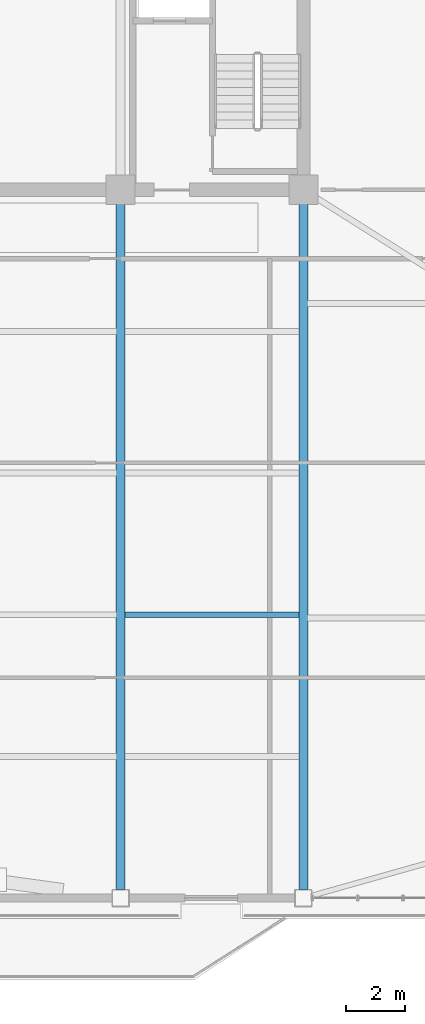
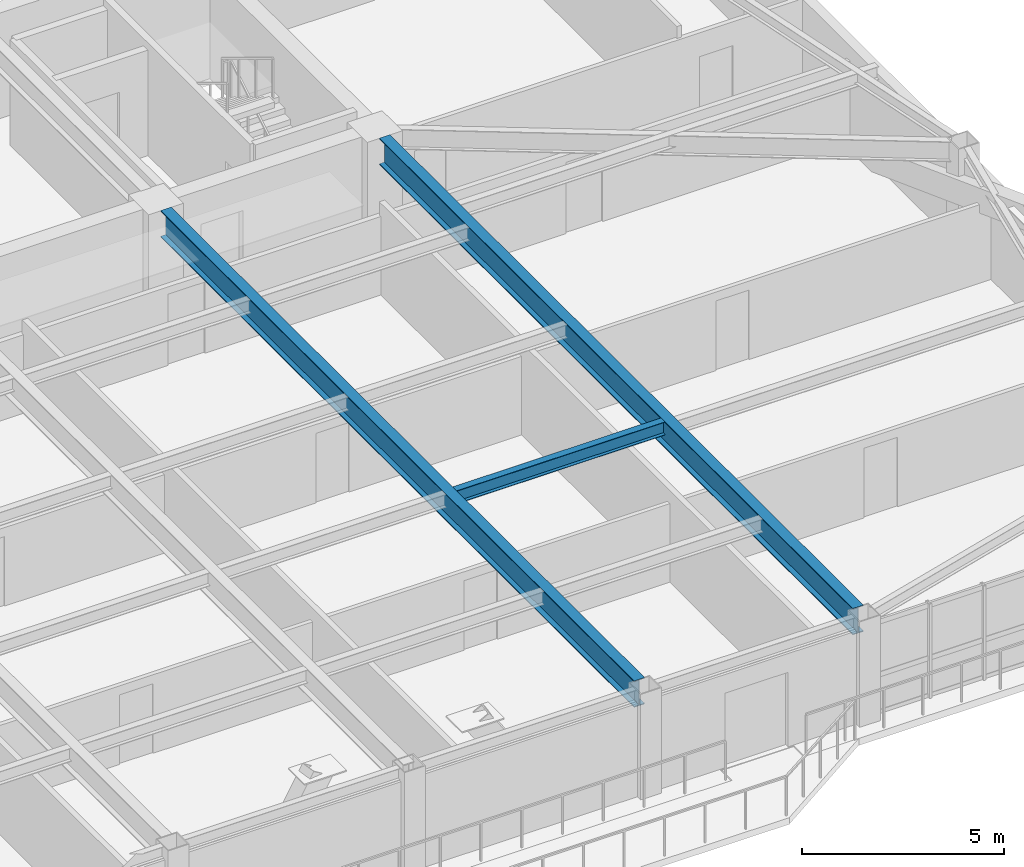
# One storey, part 5 of 16: 3 beams.
"""IFC4 building model written with IfcOpenShell, lengths in metres."""

from ifc_helpers import new_model, si_unit, direction, frame, origin, origin_2d, place, context, subcontext, project, spatial, i_section, extrude, source, transform, mapped, material, material_profile, profile_set, type_object, element, save


model = new_model("IFC4")

# Units and contexts
model_context = context("Model", 3, precision=1e-05, world=origin(), true_north=direction((0.0, 1.0)))
body_context = subcontext(model_context, "Body", "Model", "MODEL_VIEW")
ifc_project = project(units=[si_unit("LENGTHUNIT", "METRE"), si_unit("AREAUNIT", "SQUARE_METRE"), si_unit("VOLUMEUNIT", "CUBIC_METRE"), si_unit("PLANEANGLEUNIT", "RADIAN"), si_unit("MASSUNIT", "GRAM", prefix="KILO")], contexts=[model_context])

# Site, building, storey
site_placement = place(None, origin())
site = spatial("IfcSite", under=ifc_project, at=site_placement, CompositionType="ELEMENT")
building_placement = place(site_placement, origin())
building = spatial("IfcBuilding", under=site, at=building_placement, Name="Giltprow Tower", CompositionType="ELEMENT")
storey_placement = place(building_placement, frame((0.0, 0.0, 230.39990234375)))
storey = spatial("IfcBuildingStorey", under=building, at=storey_placement, Name="L58", CompositionType="ELEMENT", Elevation=230.39990234375)

# Beams
ifc_material = material(Name="Structural steel Q355B", Category="steel")
ifc_material_profile_1 = material_profile(ifc_material, i_section(OverallWidth=0.199951171875, OverallDepth=0.39990234375, WebThickness=0.008056640625, FlangeThickness=0.012939453125, at=origin_2d()), Name="HN 400x200x8x13")
ifc_profile_set_1 = profile_set([ifc_material_profile_1], Name="Structural steel Q355B")
beam_type_1 = type_object("IfcBeamType", Name="BM-JOIST-HN400", PredefinedType="JOIST", material=ifc_profile_set_1)
shared_shape_1 = source(origin(), body_context, "Body", "SweptSolid", [
    extrude(i_section(OverallWidth=0.199951171875, OverallDepth=0.39990234375, WebThickness=0.008056640625, FlangeThickness=0.012939453125, at=origin_2d()), origin(), (0.0, 0.0, 1.0), 5.9599609375),
])
beam_placement = place(storey_placement, frame((44.445068359375, 22.929931640625, 2.985107421875), z_axis=(1.0, 0.0, 0.0), x_axis=(0.0, 1.0, 0.0)))
element("IfcBeam", 1, at=beam_placement, inside=storey, type_object=beam_type_1, Name="L58 Composite Floor Joist 2-4", PredefinedType="JOIST", context=body_context, shape_type="MappedRepresentation", body=[
    mapped(shared_shape_1, transform((0.0, 0.0, 0.0), x_axis=(1.0, 0.0, 0.0), y_axis=(0.0, 1.0, 0.0), z_axis=(0.0, 0.0, 1.0), scale=1.0)),
])
ifc_material_profile_2 = material_profile(ifc_material, i_section(OverallWidth=0.300048828125, OverallDepth=0.800048828125, WebThickness=0.013916015625, FlangeThickness=0.02587890625, at=origin_2d()), Name="HN 800x300x14x26")
ifc_profile_set_2 = profile_set([ifc_material_profile_2], Name="Structural steel Q355B")
beam_type_2 = type_object("IfcBeamType", Name="BM-GIRD-HN800", PredefinedType="BEAM", material=ifc_profile_set_2)
shared_shape_2 = source(origin(), body_context, "Body", "SweptSolid", [
    extrude(i_section(OverallWidth=0.300048828125, OverallDepth=0.800048828125, WebThickness=0.013916015625, FlangeThickness=0.02587890625, at=origin_2d()), origin(), (0.0, 0.0, 1.0), 23.43017578125),
])
for number, where, z_axis, x_axis, name in (
    (2, (44.300048828125, 13.534912109375, 2.78515625), (0.0, 1.0, 0.0), (-1.0, 0.0, 0.0), "L58 Primary Lease Girder S3"),
    (3, (50.550048828125, 13.534912109375, 2.78515625), (0.0, 1.0, 0.0), (-1.0, 0.0, 0.0), "L58 Primary Lease Girder S4"),
):
    element("IfcBeam", number, at=place(storey_placement, frame(where, z_axis=z_axis, x_axis=x_axis)), inside=storey, type_object=beam_type_2, Name=name, PredefinedType="BEAM", context=body_context, shape_type="MappedRepresentation", body=[
        mapped(shared_shape_2, transform((0.0, 0.0, 0.0), x_axis=(1.0, 0.0, 0.0), y_axis=(0.0, 1.0, 0.0), z_axis=(0.0, 0.0, 1.0), scale=1.0)),
    ])

save(model, "model.ifc")
